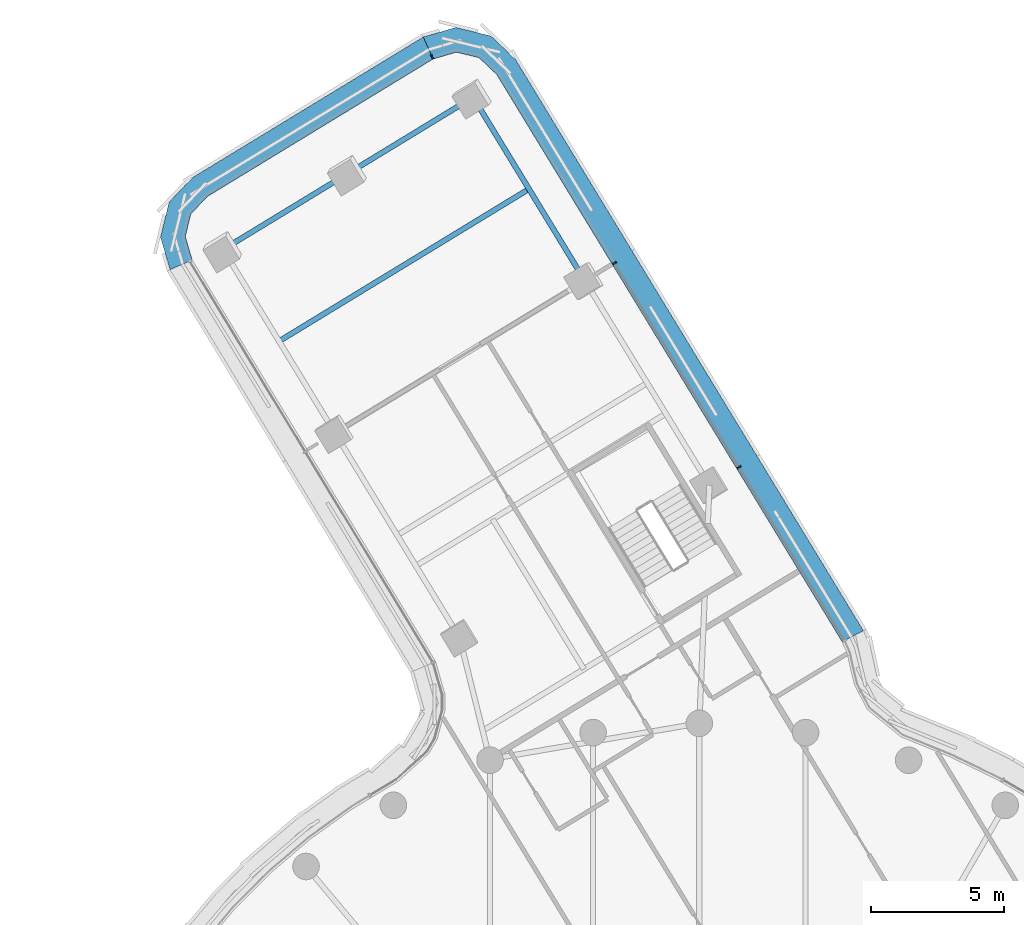
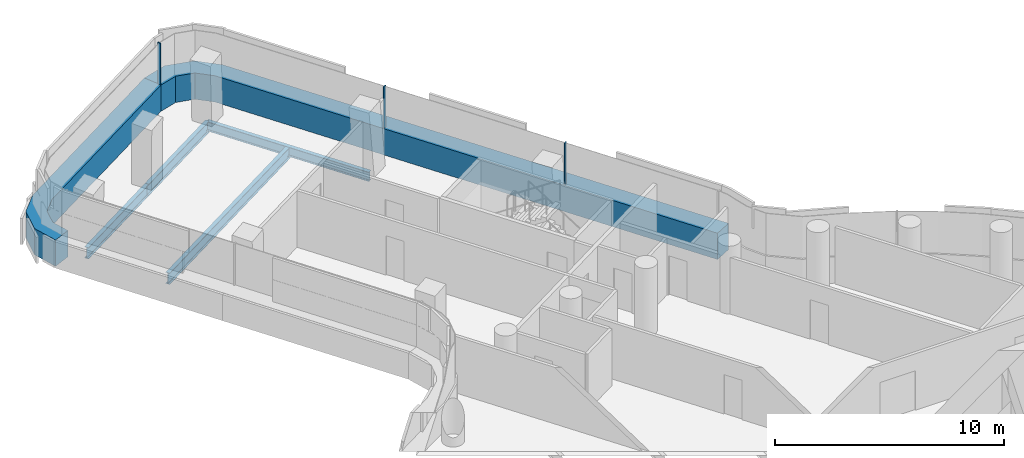
# One storey, part 17 of 35: 5 members, 4 beams, 2 elements without a shape of their own.
"""IFC4 building model written with IfcOpenShell, lengths in metres."""

from ifc_helpers import new_model, si_unit, direction, frame, origin, origin_2d, place, context, subcontext, project, spatial, polyline, rectangle, i_section, outline, extrude, material, layer, layer_set, material_profile, profile_set, type_object, element, aggregate, save


model = new_model("IFC4")

# Units and contexts
model_context = context("Model", 3, precision=1e-05, world=origin(), true_north=direction((0.0, 1.0)))
body_context = subcontext(model_context, "Body", "Model", "MODEL_VIEW")
ifc_project = project(units=[si_unit("LENGTHUNIT", "METRE"), si_unit("AREAUNIT", "SQUARE_METRE"), si_unit("VOLUMEUNIT", "CUBIC_METRE"), si_unit("PLANEANGLEUNIT", "RADIAN"), si_unit("MASSUNIT", "GRAM", prefix="KILO")], contexts=[model_context])

# Site, building, storey
site_placement = place(None, origin())
site = spatial("IfcSite", under=ifc_project, at=site_placement, CompositionType="ELEMENT")
building_placement = place(site_placement, origin())
building = spatial("IfcBuilding", under=site, at=building_placement, Name="Tamarind Cross Interchange Tower", CompositionType="ELEMENT")
storey_placement = place(building_placement, frame((0.0, 0.0, 148.0)))
storey = spatial("IfcBuildingStorey", under=building, at=storey_placement, Name="L36", CompositionType="ELEMENT", Elevation=148.0)

# Beams
ifc_material_1 = material(Name="Steel Q355B", Category="steel")
ifc_material_profile_1 = material_profile(ifc_material_1, i_section(OverallWidth=0.198974609375, OverallDepth=0.49609375, WebThickness=0.009033203125, FlangeThickness=0.013916015625, FilletRadius=0.012939453125, at=origin_2d()), Name="HN 496x199x9x14")
ifc_profile_set_1 = profile_set([ifc_material_profile_1], Name="Steel Q355B")
beam_type_1 = type_object("IfcBeamType", Name="Composite beam HN 496x199x9x14 Q355B", PredefinedType="BEAM", material=ifc_profile_set_1)
beam_1_placement = place(storey_placement, frame((-8.503173828125, 46.534423828125, -0.387939453125), z_axis=(0.520174192858, -0.854060190551, 0.0), x_axis=(0.854060190551, 0.520174192858, 0.0)))
element("IfcBeam", 1, at=beam_1_placement, inside=storey, type_object=beam_type_1, Name="Beam N-edgeem5", PredefinedType="BEAM", context=body_context, shape_type="SweptSolid", body=[
    extrude(i_section(OverallWidth=0.198974609375, OverallDepth=0.49609375, WebThickness=0.009033203125, FlangeThickness=0.013916015625, FilletRadius=0.012939453125, at=origin_2d()), origin(), (0.0, 0.0, 1.0), 8.076904296875),
])
ifc_material_profile_2 = material_profile(ifc_material_1, i_section(OverallWidth=0.199951171875, OverallDepth=0.60009765625, WebThickness=0.010986328125, FlangeThickness=0.01708984375, FilletRadius=0.012939453125, at=origin_2d()), Name="HN 600x200x11x17")
ifc_profile_set_2 = profile_set([ifc_material_profile_2], Name="Steel Q355B")
beam_type_2 = type_object("IfcBeamType", Name="Composite beam HN 600x200x11x17 Q355B", PredefinedType="BEAM", material=ifc_profile_set_2)
beam_2_placement = place(storey_placement, frame((-8.503173828125, 46.534423828125, -0.43994140625), z_axis=(-0.854066520957, -0.52016379899, 0.0), x_axis=(0.52016379899, -0.854066520957, 0.0)))
element("IfcBeam", 2, at=beam_2_placement, inside=storey, type_object=beam_type_2, Name="Beam N-tip0", PredefinedType="BEAM", context=body_context, shape_type="SweptSolid", body=[
    extrude(i_section(OverallWidth=0.199951171875, OverallDepth=0.60009765625, WebThickness=0.010986328125, FlangeThickness=0.01708984375, FilletRadius=0.012939453125, at=origin_2d()), origin(), (0.0, 0.0, 1.0), 5.5),
])
beam_3_placement = place(storey_placement, frame((-13.200439453125, 43.673583984375, -0.43994140625), z_axis=(-0.85405881147, -0.520176457129, 0.0), x_axis=(0.520176457129, -0.85405881147, 0.0)))
element("IfcBeam", 3, at=beam_3_placement, inside=storey, type_object=beam_type_2, Name="Beam N-tip1", PredefinedType="BEAM", context=body_context, shape_type="SweptSolid", body=[
    extrude(i_section(OverallWidth=0.199951171875, OverallDepth=0.60009765625, WebThickness=0.010986328125, FlangeThickness=0.01708984375, FilletRadius=0.012939453125, at=origin_2d()), origin(), (0.0, 0.0, 1.0), 5.500244140625),
])
beam_4_placement = place(storey_placement, frame((-6.40234375, 43.08544921875, -0.43994140625), z_axis=(-0.854062666119, -0.520170128267, 0.0), x_axis=(0.520170128267, -0.854062666119, 0.0)))
element("IfcBeam", 4, at=beam_4_placement, inside=storey, type_object=beam_type_2, Name="Beam N-x433", PredefinedType="BEAM", context=body_context, shape_type="SweptSolid", body=[
    extrude(i_section(OverallWidth=0.199951171875, OverallDepth=0.60009765625, WebThickness=0.010986328125, FlangeThickness=0.01708984375, FilletRadius=0.012939453125, at=origin_2d()), origin(), (0.0, 0.0, 1.0), 11.0),
])

# Curtain wall, member
ifc_material_2 = material(Name="Aluminium 6063-T6", Category="aluminium")
ifc_layer = layer(ifc_material_2, 0.159912109375)
ifc_layer_set = layer_set([ifc_layer], Name="Aluminium 6063-T6")
curtain_wall_type = type_object("IfcCurtainWallType", Name="Office curtain wall, 9.0 m bays", PredefinedType="NOTDEFINED", material=ifc_layer_set)
curtain_wall_1_placement = place(storey_placement, origin())
curtain_wall_1 = element("IfcCurtainWall", 5, at=curtain_wall_1_placement, inside=storey, type_object=curtain_wall_type, Name="CWS-L36-11", PredefinedType="NOTDEFINED")
ifc_material_3 = material(Name="Aluminium and insulated spandrel panel", Category="aluminium")
member_type_1 = type_object("IfcMemberType", Name="Floor-edge blade transom", PredefinedType="USERDEFINED", material=ifc_material_3)
member_1_placement = place(storey_placement, origin())
member_1 = element("IfcMember", 6, at=member_1_placement, type_object=member_type_1, Name="CWT-L36-11", ObjectType="TRANSOM", PredefinedType="USERDEFINED", context=body_context, shape_type="SweptSolid", body=[
    extrude(outline(polyline([(5.36962890625, 26.064208984375), (-7.61767578125, 47.3876953125), (-8.280029296875, 48.01953125), (-9.1298828125, 48.22607421875), (-10.00830078125, 47.968505859375), (-10.375244140625, 48.798583984375), (-9.151611328125, 49.157470703125), (-7.833251953125, 48.837158203125), (-6.91064453125, 47.95703125), (6.1689453125, 26.48193359375), (5.36962890625, 26.064208984375)])), origin(), (0.0, 0.0, 1.0), 1.39990234375),
])

curtain_wall_2_placement = place(storey_placement, origin())
curtain_wall_2 = element("IfcCurtainWall", 7, at=curtain_wall_2_placement, inside=storey, type_object=curtain_wall_type, Name="CWS-L36-12", PredefinedType="NOTDEFINED")
member_2_placement = place(storey_placement, origin())
member_2 = element("IfcMember", 8, at=member_2_placement, type_object=member_type_1, Name="CWT-L36-12", ObjectType="TRANSOM", PredefinedType="USERDEFINED", context=body_context, shape_type="SweptSolid", body=[
    extrude(outline(polyline([(-10.00830078125, 47.968505859375), (-18.4814453125, 42.807861328125), (-19.11328125, 42.1455078125), (-19.31982421875, 41.295654296875), (-19.06201171875, 40.4169921875), (-19.892578125, 40.051025390625), (-20.251220703125, 41.27392578125), (-19.930908203125, 42.59228515625), (-19.05078125, 43.5146484375), (-10.375244140625, 48.798583984375), (-10.00830078125, 47.968505859375)])), origin(), (0.0, 0.0, 1.0), 1.39990234375),
])

# Member
ifc_material_profile_3 = material_profile(ifc_material_2, rectangle(XDim=0.06005859375, YDim=0.159912109375, at=origin_2d()), Name="Mullion CW1")
ifc_profile_set_3 = profile_set([ifc_material_profile_3], Name="Aluminium 6063-T6")
member_type_2 = type_object("IfcMemberType", Name="Mullion CW1", PredefinedType="MULLION", material=ifc_profile_set_3)
member_3_placement = place(storey_placement, frame((1.489501953125, 32.626708984375, 1.39990234375), z_axis=(0.0, 0.0, 1.0), x_axis=(-0.520175135901, 0.854059616181, 0.0)))
member_3 = element("IfcMember", 9, at=member_3_placement, type_object=member_type_2, Name="CWM-L36-11-01", PredefinedType="MULLION", context=body_context, shape_type="SweptSolid", body=[
    extrude(rectangle(XDim=0.06005859375, YDim=0.159912109375, at=origin_2d()), origin(), (0.0, 0.0, 1.0), 2.210205078125),
])

member_4_placement = place(storey_placement, frame((-3.1845703125, 40.30126953125, 1.39990234375), z_axis=(0.0, 0.0, 1.0), x_axis=(-0.520175135901, 0.854059616181, 0.0)))
member_4 = element("IfcMember", 10, at=member_4_placement, type_object=member_type_2, Name="CWM-L36-11-02", PredefinedType="MULLION", context=body_context, shape_type="SweptSolid", body=[
    extrude(rectangle(XDim=0.06005859375, YDim=0.159912109375, at=origin_2d()), origin(), (0.0, 0.0, 1.0), 2.210205078125),
])

aggregate(curtain_wall_1, [member_3, member_4, member_1])

member_5_placement = place(storey_placement, frame((-10.049072265625, 48.060546875, 1.39990234375), z_axis=(0.0, 0.0, 1.0), x_axis=(-0.914649497546, -0.404247815874, 0.0)))
member_5 = element("IfcMember", 11, at=member_5_placement, type_object=member_type_2, Name="CWM-L36-12-00", PredefinedType="MULLION", context=body_context, shape_type="SweptSolid", body=[
    extrude(rectangle(XDim=0.06005859375, YDim=0.159912109375, at=origin_2d()), origin(), (0.0, 0.0, 1.0), 2.210205078125),
])

aggregate(curtain_wall_2, [member_5, member_2])

save(model, "model.ifc")
